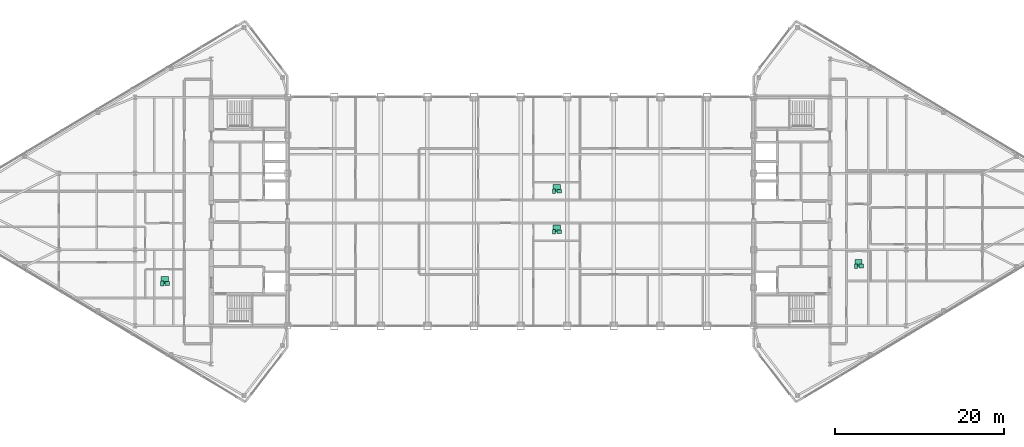
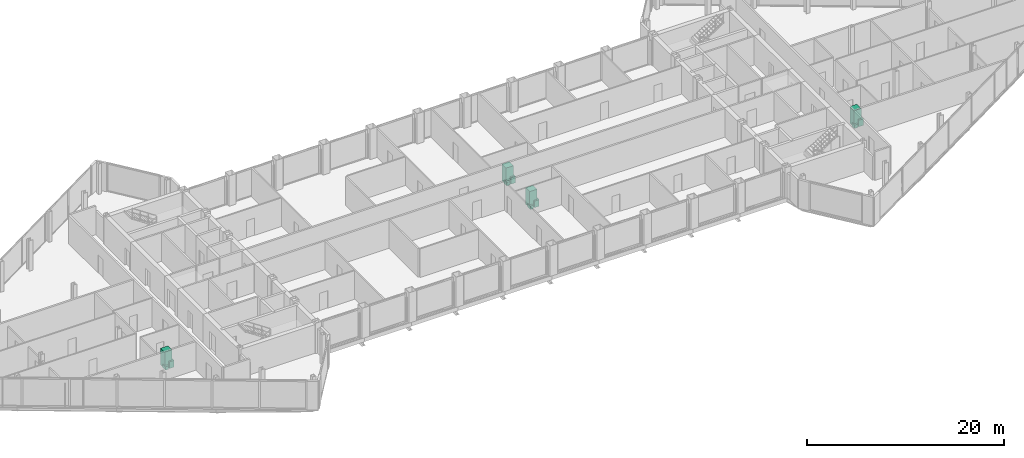
# One storey, part 29 of 29: 12 sanitary terminals.
"""IFC4 building model written with IfcOpenShell, lengths in metres."""

from ifc_helpers import new_model, si_unit, direction, frame, origin, origin_2d, place, context, subcontext, project, spatial, rectangle, extrude, source, transform, mapped, material, type_object, type_shapes, element, save


model = new_model("IFC4")

# Units and contexts
model_context = context("Model", 3, precision=1e-05, world=origin(), true_north=direction((0.0, 1.0)))
body_context = subcontext(model_context, "Body", "Model", "MODEL_VIEW")
ifc_project = project(units=[si_unit("LENGTHUNIT", "METRE"), si_unit("AREAUNIT", "SQUARE_METRE"), si_unit("VOLUMEUNIT", "CUBIC_METRE"), si_unit("PLANEANGLEUNIT", "RADIAN"), si_unit("MASSUNIT", "GRAM", prefix="KILO")], contexts=[model_context])

# Site, building, storey
site_placement = place(None, origin())
site = spatial("IfcSite", under=ifc_project, at=site_placement, CompositionType="ELEMENT")
building_placement = place(site_placement, origin())
building = spatial("IfcBuilding", under=site, at=building_placement, Name="Seokmaru Belvedere", CompositionType="ELEMENT")
storey_placement = place(building_placement, frame((0.0, 0.0, 246.89990234375)))
storey = spatial("IfcBuildingStorey", under=building, at=storey_placement, Name="L65", CompositionType="ELEMENT", Elevation=246.89990234375)

# Sanitary terminals
ifc_material_1 = material(Name="Vitreous China Sanitaryware")
sanitary_terminal_type_1 = type_object("IfcSanitaryTerminalType", Name="Wall-Hung Vitreous China WC Pan", PredefinedType="TOILETPAN", material=ifc_material_1)
shared_shape_1 = source(origin(), body_context, "Body", "SweptSolid", [
    extrude(rectangle(XDim=0.3798828125, YDim=0.56005859375, at=origin_2d()), origin(), (0.0, 0.0, 1.0), 0.419921875),
])
type_shapes(sanitary_terminal_type_1, [shared_shape_1])
for number, where, z_axis, x_axis, name in (
    (1, (-42.300048828125, -8.5, 0.000244140625), (0.0, 0.0, 1.0), (1.0, 0.0, 0.0), "L65 Vitreous China WC 0289"),
    (2, (39.574951171875, -6.446044921875, 0.000244140625), (0.0, 0.0, 1.0), (1.0, 0.0, 0.0), "L65 Vitreous China WC 0290"),
    (3, (3.949951171875, -2.39990234375, 0.000244140625), (0.0, 0.0, 1.0), (1.0, 0.0, 0.0), "L65 Vitreous China WC 0291"),
    (4, (3.949951171875, 2.39990234375, 0.000244140625), (0.0, 0.0, 1.0), (1.0, 0.0, 0.0), "L65 Vitreous China WC 0292"),
):
    element("IfcSanitaryTerminal", number, at=place(storey_placement, frame(where, z_axis=z_axis, x_axis=x_axis)), inside=storey, type_object=sanitary_terminal_type_1, Name=name, PredefinedType="TOILETPAN", context=body_context, shape_type="MappedRepresentation", body=[
        mapped(shared_shape_1, transform((0.0, 0.0, 0.0), scale=1.0)),
    ])
sanitary_terminal_type_2 = type_object("IfcSanitaryTerminalType", Name="Countertop Ceramic Washhand Basin", PredefinedType="WASHHANDBASIN", material=ifc_material_1)
shared_shape_2 = source(origin(), body_context, "Body", "SweptSolid", [
    extrude(rectangle(XDim=0.550048828125, YDim=0.449951171875, at=origin_2d()), origin(), (0.0, 0.0, 1.0), 0.820068359375),
])
type_shapes(sanitary_terminal_type_2, [shared_shape_2])
for number, where, z_axis, x_axis, name in (
    (5, (-41.699951171875, -8.5, 0.0), (0.0, 0.0, 1.0), (1.0, 0.0, 0.0), "L65 Ceramic Washhand Basin 0289"),
    (6, (40.175048828125, -6.446044921875, 0.0), (0.0, 0.0, 1.0), (1.0, 0.0, 0.0), "L65 Ceramic Washhand Basin 0290"),
    (7, (4.550048828125, -2.39990234375, 0.0), (0.0, 0.0, 1.0), (1.0, 0.0, 0.0), "L65 Ceramic Washhand Basin 0291"),
    (8, (4.550048828125, 2.39990234375, 0.0), (0.0, 0.0, 1.0), (1.0, 0.0, 0.0), "L65 Ceramic Washhand Basin 0292"),
):
    element("IfcSanitaryTerminal", number, at=place(storey_placement, frame(where, z_axis=z_axis, x_axis=x_axis)), inside=storey, type_object=sanitary_terminal_type_2, Name=name, PredefinedType="WASHHANDBASIN", context=body_context, shape_type="MappedRepresentation", body=[
        mapped(shared_shape_2, transform((0.0, 0.0, 0.0), scale=1.0)),
    ])
ifc_material_2 = material(Name="Stainless Steel 316", Category="steel")
sanitary_terminal_type_3 = type_object("IfcSanitaryTerminalType", Name="Walk-In Thermostatic Rain Shower Enclosure", PredefinedType="SHOWER", material=ifc_material_2)
shared_shape_3 = source(origin(), body_context, "Body", "SweptSolid", [
    extrude(rectangle(XDim=0.85009765625, YDim=0.85009765625, at=origin_2d()), origin(), (0.0, 0.0, 1.0), 2.050048828125),
])
type_shapes(sanitary_terminal_type_3, [shared_shape_3])
for number, where, z_axis, x_axis, name in (
    (9, (-42.0, -8.1201171875, 0.0), (0.0, 0.0, 1.0), (1.0, 0.0, 0.0), "L65 Walk-In Shower 0289"),
    (10, (39.875, -6.06591796875, 0.0), (0.0, 0.0, 1.0), (1.0, 0.0, 0.0), "L65 Walk-In Shower 0290"),
    (11, (4.25, -2.02001953125, 0.0), (0.0, 0.0, 1.0), (1.0, 0.0, 0.0), "L65 Walk-In Shower 0291"),
    (12, (4.25, 2.780029296875, 0.0), (0.0, 0.0, 1.0), (1.0, 0.0, 0.0), "L65 Walk-In Shower 0292"),
):
    element("IfcSanitaryTerminal", number, at=place(storey_placement, frame(where, z_axis=z_axis, x_axis=x_axis)), inside=storey, type_object=sanitary_terminal_type_3, Name=name, PredefinedType="SHOWER", context=body_context, shape_type="MappedRepresentation", body=[
        mapped(shared_shape_3, transform((0.0, 0.0, 0.0), scale=1.0)),
    ])

save(model, "model.ifc")
